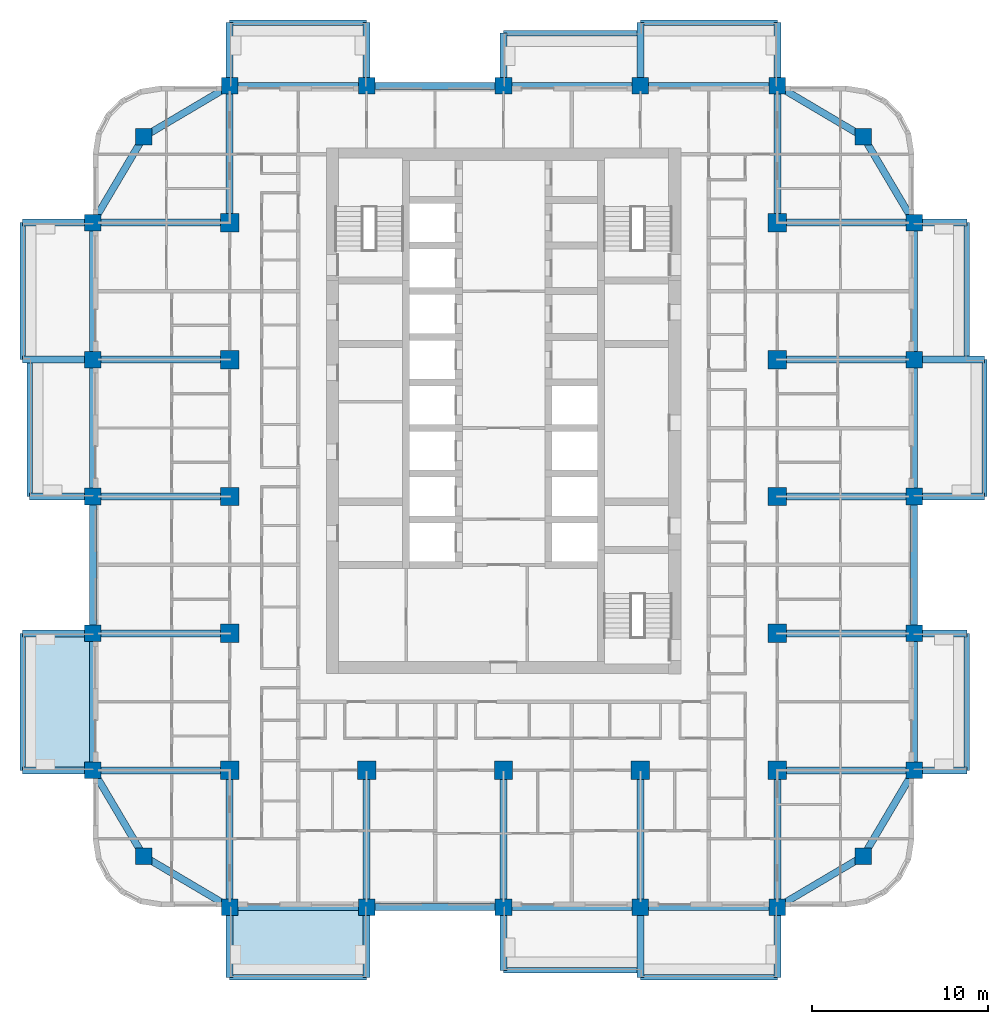
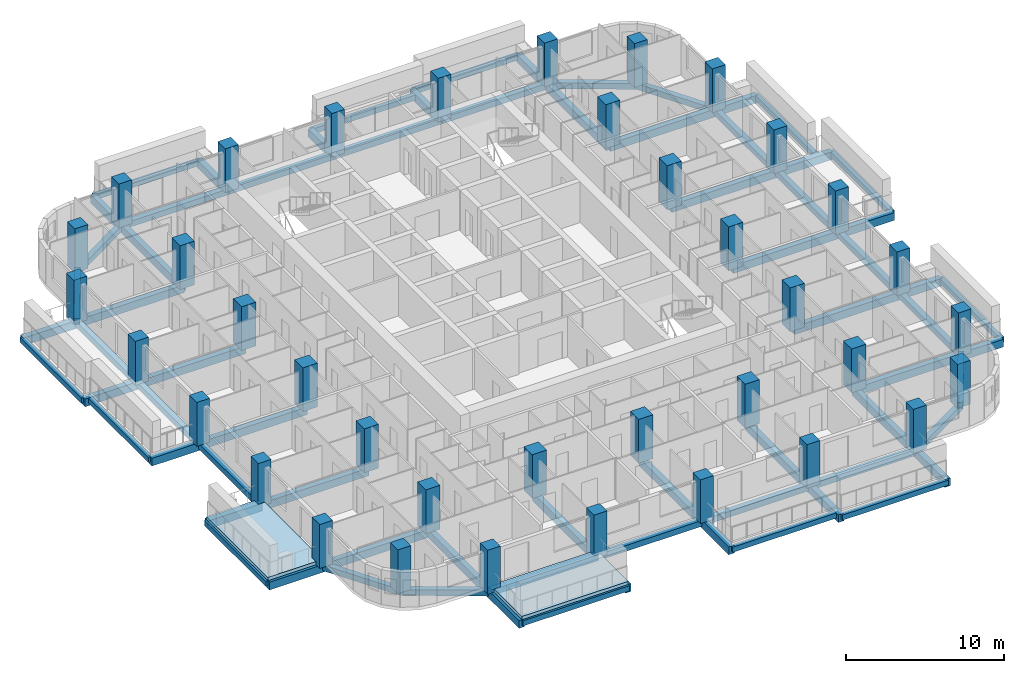
# One storey, part 1 of 18: 73 beams, 37 columns, 2 slabs.
"""IFC4 building model written with IfcOpenShell, lengths in metres."""

from ifc_helpers import new_model, si_unit, direction, frame, origin, origin_2d, place, context, subcontext, project, spatial, polyline, rectangle, outline, extrude, material, layer, layer_set, material_profile, profile_set, type_object, element, save


model = new_model("IFC4")

# Units and contexts
model_context = context("Model", 3, precision=1e-05, world=origin(), true_north=direction((0.0, 1.0)))
body_context = subcontext(model_context, "Body", "Model", "MODEL_VIEW")
ifc_project = project(units=[si_unit("LENGTHUNIT", "METRE"), si_unit("AREAUNIT", "SQUARE_METRE"), si_unit("VOLUMEUNIT", "CUBIC_METRE"), si_unit("PLANEANGLEUNIT", "RADIAN"), si_unit("MASSUNIT", "GRAM", prefix="KILO")], contexts=[model_context])

# Site, building, storey
site_placement = place(None, origin())
site = spatial("IfcSite", under=ifc_project, at=site_placement, CompositionType="ELEMENT")
building_placement = place(site_placement, origin())
building = spatial("IfcBuilding", under=site, at=building_placement, Name="Ludao Terraces", CompositionType="ELEMENT")
storey_placement = place(building_placement, frame((0.0, 0.0, 75.0)))
storey = spatial("IfcBuildingStorey", under=building, at=storey_placement, Name="L20", CompositionType="ELEMENT", Elevation=75.0)

# Columns
ifc_material_1 = material(Name="Concrete C55", Category="concrete")
ifc_material_profile_1 = material_profile(ifc_material_1, rectangle(XDim=1.050048828125, YDim=1.050048828125, at=origin_2d()), Name="1050 X 1050")
ifc_profile_set_1 = profile_set([ifc_material_profile_1], Name="Concrete C55")
column_type_1 = type_object("IfcColumnType", Name="RC column 1050x1050 C55", PredefinedType="COLUMN", material=ifc_profile_set_1)
for number, where, z_axis, x_axis, name in (
    (1, (69.39990234375, 49.39990234375, -0.25), (0.0, 0.0, 1.0), (1.0, 0.0, 0.0), "Column L20 S0078x0078"),
    (2, (69.39990234375, 57.199951171875, -0.25), (0.0, 0.0, 1.0), (1.0, 0.0, 0.0), "Column L20 S0078x0156"),
    (3, (69.39990234375, 65.0, -0.25), (0.0, 0.0, 1.0), (1.0, 0.0, 0.0), "Column L20 S0078x0234"),
    (4, (69.39990234375, 72.800048828125, -0.25), (0.0, 0.0, 1.0), (1.0, 0.0, 0.0), "Column L20 S0078x0312"),
    (5, (69.39990234375, 80.60009765625, -0.25), (0.0, 0.0, 1.0), (1.0, 0.0, 0.0), "Column L20 S0078x0390"),
    (6, (77.199951171875, 49.39990234375, -0.25), (0.0, 0.0, 1.0), (1.0, 0.0, 0.0), "Column L20 S0156x0078"),
    (7, (85.0, 49.39990234375, -0.25), (0.0, 0.0, 1.0), (1.0, 0.0, 0.0), "Column L20 S0234x0078"),
    (8, (92.800048828125, 49.39990234375, -0.25), (0.0, 0.0, 1.0), (1.0, 0.0, 0.0), "Column L20 S0312x0078"),
    (9, (100.60009765625, 49.39990234375, -0.25), (0.0, 0.0, 1.0), (1.0, 0.0, 0.0), "Column L20 S0390x0078"),
    (10, (100.60009765625, 57.199951171875, -0.25), (0.0, 0.0, 1.0), (1.0, 0.0, 0.0), "Column L20 S0390x0156"),
    (11, (100.60009765625, 65.0, -0.25), (0.0, 0.0, 1.0), (1.0, 0.0, 0.0), "Column L20 S0390x0234"),
    (12, (100.60009765625, 72.800048828125, -0.25), (0.0, 0.0, 1.0), (1.0, 0.0, 0.0), "Column L20 S0390x0312"),
    (13, (100.60009765625, 80.60009765625, -0.25), (0.0, 0.0, 1.0), (1.0, 0.0, 0.0), "Column L20 S0390x0390"),
):
    element("IfcColumn", number, at=place(storey_placement, frame(where, z_axis=z_axis, x_axis=x_axis)), inside=storey, type_object=column_type_1, Name=name, PredefinedType="COLUMN", context=body_context, shape_type="SweptSolid", body=[
        extrude(rectangle(XDim=1.050048828125, YDim=1.050048828125, at=origin_2d()), origin(), (0.0, 0.0, 1.0), 3.39990234375),
    ])
ifc_material_profile_2 = material_profile(ifc_material_1, rectangle(XDim=0.949951171875, YDim=0.949951171875, at=origin_2d()), Name="950 X 950")
ifc_profile_set_2 = profile_set([ifc_material_profile_2], Name="Concrete C55")
column_type_2 = type_object("IfcColumnType", Name="RC column 950x950 C55", PredefinedType="COLUMN", material=ifc_profile_set_2)
for number, where, z_axis, x_axis, name in (
    (14, (64.5, 44.5, -0.25), (0.0, 0.0, 1.0), (1.0, 0.0, 0.0), "Column L20 C0029x0029"),
    (15, (105.5, 44.5, -0.25), (0.0, 0.0, 1.0), (1.0, 0.0, 0.0), "Column L20 C0439x0029"),
    (16, (64.5, 85.5, -0.25), (0.0, 0.0, 1.0), (1.0, 0.0, 0.0), "Column L20 C0029x0439"),
    (17, (105.5, 85.5, -0.25), (0.0, 0.0, 1.0), (1.0, 0.0, 0.0), "Column L20 C0439x0439"),
    (18, (61.60009765625, 49.39990234375, -0.25), (0.0, 0.0, 1.0), (1.0, 0.0, 0.0), "Column L20 F0000x0078"),
    (19, (108.39990234375, 49.39990234375, -0.25), (0.0, 0.0, 1.0), (1.0, 0.0, 0.0), "Column L20 F0468x0078"),
    (20, (69.39990234375, 41.60009765625, -0.25), (0.0, 0.0, 1.0), (1.0, 0.0, 0.0), "Column L20 F0078x0000"),
    (21, (69.39990234375, 88.39990234375, -0.25), (0.0, 0.0, 1.0), (1.0, 0.0, 0.0), "Column L20 F0078x0468"),
    (22, (61.60009765625, 57.199951171875, -0.25), (0.0, 0.0, 1.0), (1.0, 0.0, 0.0), "Column L20 F0000x0156"),
    (23, (108.39990234375, 57.199951171875, -0.25), (0.0, 0.0, 1.0), (1.0, 0.0, 0.0), "Column L20 F0468x0156"),
    (24, (77.199951171875, 41.60009765625, -0.25), (0.0, 0.0, 1.0), (1.0, 0.0, 0.0), "Column L20 F0156x0000"),
    (25, (77.199951171875, 88.39990234375, -0.25), (0.0, 0.0, 1.0), (1.0, 0.0, 0.0), "Column L20 F0156x0468"),
    (26, (61.60009765625, 65.0, -0.25), (0.0, 0.0, 1.0), (1.0, 0.0, 0.0), "Column L20 F0000x0234"),
    (27, (108.39990234375, 65.0, -0.25), (0.0, 0.0, 1.0), (1.0, 0.0, 0.0), "Column L20 F0468x0234"),
    (28, (85.0, 41.60009765625, -0.25), (0.0, 0.0, 1.0), (1.0, 0.0, 0.0), "Column L20 F0234x0000"),
    (29, (85.0, 88.39990234375, -0.25), (0.0, 0.0, 1.0), (1.0, 0.0, 0.0), "Column L20 F0234x0468"),
    (30, (61.60009765625, 72.800048828125, -0.25), (0.0, 0.0, 1.0), (1.0, 0.0, 0.0), "Column L20 F0000x0312"),
    (31, (108.39990234375, 72.800048828125, -0.25), (0.0, 0.0, 1.0), (1.0, 0.0, 0.0), "Column L20 F0468x0312"),
    (32, (92.800048828125, 41.60009765625, -0.25), (0.0, 0.0, 1.0), (1.0, 0.0, 0.0), "Column L20 F0312x0000"),
    (33, (92.800048828125, 88.39990234375, -0.25), (0.0, 0.0, 1.0), (1.0, 0.0, 0.0), "Column L20 F0312x0468"),
    (34, (61.60009765625, 80.60009765625, -0.25), (0.0, 0.0, 1.0), (1.0, 0.0, 0.0), "Column L20 F0000x0390"),
    (35, (108.39990234375, 80.60009765625, -0.25), (0.0, 0.0, 1.0), (1.0, 0.0, 0.0), "Column L20 F0468x0390"),
    (36, (100.60009765625, 41.60009765625, -0.25), (0.0, 0.0, 1.0), (1.0, 0.0, 0.0), "Column L20 F0390x0000"),
    (37, (100.60009765625, 88.39990234375, -0.25), (0.0, 0.0, 1.0), (1.0, 0.0, 0.0), "Column L20 F0390x0468"),
):
    element("IfcColumn", number, at=place(storey_placement, frame(where, z_axis=z_axis, x_axis=x_axis)), inside=storey, type_object=column_type_2, Name=name, PredefinedType="COLUMN", context=body_context, shape_type="SweptSolid", body=[
        extrude(rectangle(XDim=0.949951171875, YDim=0.949951171875, at=origin_2d()), origin(), (0.0, 0.0, 1.0), 3.39990234375),
    ])

# Beams
ifc_material_2 = material(Name="Concrete C40", Category="concrete")
ifc_material_profile_3 = material_profile(ifc_material_2, rectangle(XDim=0.300048828125, YDim=0.39990234375, at=origin_2d()), Name="300 X 400")
ifc_profile_set_3 = profile_set([ifc_material_profile_3], Name="Concrete C40")
beam_type_1 = type_object("IfcBeamType", Name="RC beam 300x400 C40", PredefinedType="BEAM", material=ifc_profile_set_3)
for number, where, z_axis, x_axis, name in (
    (38, (69.39990234375, 37.60009765625, -0.449951171875), (1.0, 0.0, 0.0), (0.0, 1.0, 0.0), "Balcony edge beam L20 S1"),
    (39, (85.0, 38.0, -0.449951171875), (1.0, 0.0, 0.0), (0.0, 1.0, 0.0), "Balcony edge beam L20 S3"),
    (40, (92.800048828125, 37.60009765625, -0.449951171875), (1.0, 0.0, 0.0), (0.0, 1.0, 0.0), "Balcony edge beam L20 S4"),
    (41, (111.39990234375, 49.39990234375, -0.449951171875), (0.0, 1.0, 0.0), (-1.0, 0.0, 0.0), "Balcony edge beam L20 E1"),
    (42, (112.39990234375, 65.0, -0.449951171875), (0.0, 1.0, 0.0), (-1.0, 0.0, 0.0), "Balcony edge beam L20 E3"),
    (43, (111.39990234375, 72.800048828125, -0.449951171875), (0.0, 1.0, 0.0), (-1.0, 0.0, 0.0), "Balcony edge beam L20 E4"),
    (44, (69.39990234375, 92.0, -0.449951171875), (1.0, 0.0, 0.0), (0.0, 1.0, 0.0), "Balcony edge beam L20 N1"),
    (45, (85.0, 91.39990234375, -0.449951171875), (1.0, 0.0, 0.0), (0.0, 1.0, 0.0), "Balcony edge beam L20 N3"),
    (46, (92.800048828125, 92.0, -0.449951171875), (1.0, 0.0, 0.0), (0.0, 1.0, 0.0), "Balcony edge beam L20 N4"),
    (47, (57.60009765625, 49.39990234375, -0.449951171875), (0.0, 1.0, 0.0), (-1.0, 0.0, 0.0), "Balcony edge beam L20 W1"),
    (48, (58.0, 65.0, -0.449951171875), (0.0, 1.0, 0.0), (-1.0, 0.0, 0.0), "Balcony edge beam L20 W3"),
    (49, (57.60009765625, 72.800048828125, -0.449951171875), (0.0, 1.0, 0.0), (-1.0, 0.0, 0.0), "Balcony edge beam L20 W4"),
):
    element("IfcBeam", number, at=place(storey_placement, frame(where, z_axis=z_axis, x_axis=x_axis)), inside=storey, type_object=beam_type_1, Name=name, PredefinedType="BEAM", context=body_context, shape_type="SweptSolid", body=[
        extrude(rectangle(XDim=0.300048828125, YDim=0.39990234375, at=origin_2d()), origin(), (0.0, 0.0, 1.0), 7.800048828125),
    ])
ifc_material_profile_4 = material_profile(ifc_material_2, rectangle(XDim=0.39990234375, YDim=0.449951171875, at=origin_2d()), Name="400 X 450")
ifc_profile_set_4 = profile_set([ifc_material_profile_4], Name="Concrete C40")
beam_type_2 = type_object("IfcBeamType", Name="RC beam 400x450 C40", PredefinedType="BEAM", material=ifc_profile_set_4)
beam_1_placement = place(storey_placement, frame((64.5, 44.5, -0.47509765625), z_axis=(0.860579751256, -0.509315709288, 0.0), x_axis=(0.509315709288, 0.860579751256, 0.0)))
element("IfcBeam", 50, at=beam_1_placement, inside=storey, type_object=beam_type_2, Name="Spandrel beam L20 S1", PredefinedType="BEAM", context=body_context, shape_type="SweptSolid", body=[
    extrude(rectangle(XDim=0.39990234375, YDim=0.449951171875, at=origin_2d()), origin(), (0.0, 0.0, 1.0), 5.693603515625),
])
for number, where, z_axis, x_axis, name in (
    (51, (69.39990234375, 41.60009765625, -0.47509765625), (1.0, 0.0, 0.0), (0.0, 1.0, 0.0), "Spandrel beam L20 S2"),
    (52, (77.199951171875, 41.60009765625, -0.47509765625), (1.0, 0.0, 0.0), (0.0, 1.0, 0.0), "Spandrel beam L20 S3"),
    (53, (85.0, 41.60009765625, -0.47509765625), (1.0, 0.0, 0.0), (0.0, 1.0, 0.0), "Spandrel beam L20 S4"),
    (54, (92.800048828125, 41.60009765625, -0.47509765625), (1.0, 0.0, 0.0), (0.0, 1.0, 0.0), "Spandrel beam L20 S5"),
):
    element("IfcBeam", number, at=place(storey_placement, frame(where, z_axis=z_axis, x_axis=x_axis)), inside=storey, type_object=beam_type_2, Name=name, PredefinedType="BEAM", context=body_context, shape_type="SweptSolid", body=[
        extrude(rectangle(XDim=0.39990234375, YDim=0.449951171875, at=origin_2d()), origin(), (0.0, 0.0, 1.0), 7.800048828125),
    ])
for number, where, z_axis, x_axis, name in (
    (55, (100.60009765625, 41.60009765625, -0.47509765625), (0.860579751256, 0.509315709288, 0.0), (-0.509315709288, 0.860579751256, 0.0), "Spandrel beam L20 S6"),
    (56, (64.5, 85.5, -0.47509765625), (0.860579751256, 0.509315709288, 0.0), (-0.509315709288, 0.860579751256, 0.0), "Spandrel beam L20 N7"),
):
    element("IfcBeam", number, at=place(storey_placement, frame(where, z_axis=z_axis, x_axis=x_axis)), inside=storey, type_object=beam_type_2, Name=name, PredefinedType="BEAM", context=body_context, shape_type="SweptSolid", body=[
        extrude(rectangle(XDim=0.39990234375, YDim=0.449951171875, at=origin_2d()), origin(), (0.0, 0.0, 1.0), 5.693603515625),
    ])
for number, where, z_axis, x_axis, name in (
    (57, (69.39990234375, 88.39990234375, -0.47509765625), (1.0, 0.0, 0.0), (0.0, 1.0, 0.0), "Spandrel beam L20 N8"),
    (58, (77.199951171875, 88.39990234375, -0.47509765625), (1.0, 0.0, 0.0), (0.0, 1.0, 0.0), "Spandrel beam L20 N9"),
    (59, (85.0, 88.39990234375, -0.47509765625), (1.0, 0.0, 0.0), (0.0, 1.0, 0.0), "Spandrel beam L20 N10"),
    (60, (92.800048828125, 88.39990234375, -0.47509765625), (1.0, 0.0, 0.0), (0.0, 1.0, 0.0), "Spandrel beam L20 N11"),
):
    element("IfcBeam", number, at=place(storey_placement, frame(where, z_axis=z_axis, x_axis=x_axis)), inside=storey, type_object=beam_type_2, Name=name, PredefinedType="BEAM", context=body_context, shape_type="SweptSolid", body=[
        extrude(rectangle(XDim=0.39990234375, YDim=0.449951171875, at=origin_2d()), origin(), (0.0, 0.0, 1.0), 7.800048828125),
    ])
for number, where, z_axis, x_axis, name in (
    (61, (100.60009765625, 88.39990234375, -0.47509765625), (0.860579751256, -0.509315709288, 0.0), (0.509315709288, 0.860579751256, 0.0), "Spandrel beam L20 N12"),
    (62, (64.5, 44.5, -0.47509765625), (-0.509315709288, 0.860579751256, 0.0), (-0.860579751256, -0.509315709288, 0.0), "Spandrel beam L20 W13"),
):
    element("IfcBeam", number, at=place(storey_placement, frame(where, z_axis=z_axis, x_axis=x_axis)), inside=storey, type_object=beam_type_2, Name=name, PredefinedType="BEAM", context=body_context, shape_type="SweptSolid", body=[
        extrude(rectangle(XDim=0.39990234375, YDim=0.449951171875, at=origin_2d()), origin(), (0.0, 0.0, 1.0), 5.693603515625),
    ])
for number, where, z_axis, x_axis, name in (
    (63, (61.60009765625, 49.39990234375, -0.47509765625), (0.0, 1.0, 0.0), (-1.0, 0.0, 0.0), "Spandrel beam L20 W14"),
    (64, (61.60009765625, 57.199951171875, -0.47509765625), (0.0, 1.0, 0.0), (-1.0, 0.0, 0.0), "Spandrel beam L20 W15"),
    (65, (61.60009765625, 65.0, -0.47509765625), (0.0, 1.0, 0.0), (-1.0, 0.0, 0.0), "Spandrel beam L20 W16"),
    (66, (61.60009765625, 72.800048828125, -0.47509765625), (0.0, 1.0, 0.0), (-1.0, 0.0, 0.0), "Spandrel beam L20 W17"),
):
    element("IfcBeam", number, at=place(storey_placement, frame(where, z_axis=z_axis, x_axis=x_axis)), inside=storey, type_object=beam_type_2, Name=name, PredefinedType="BEAM", context=body_context, shape_type="SweptSolid", body=[
        extrude(rectangle(XDim=0.39990234375, YDim=0.449951171875, at=origin_2d()), origin(), (0.0, 0.0, 1.0), 7.800048828125),
    ])
for number, where, z_axis, x_axis, name in (
    (67, (61.60009765625, 80.60009765625, -0.47509765625), (0.509315709288, 0.860579751256, 0.0), (-0.860579751256, 0.509315709288, 0.0), "Spandrel beam L20 W18"),
    (68, (105.5, 44.5, -0.47509765625), (0.509315709288, 0.860579751256, 0.0), (-0.860579751256, 0.509315709288, 0.0), "Spandrel beam L20 E19"),
):
    element("IfcBeam", number, at=place(storey_placement, frame(where, z_axis=z_axis, x_axis=x_axis)), inside=storey, type_object=beam_type_2, Name=name, PredefinedType="BEAM", context=body_context, shape_type="SweptSolid", body=[
        extrude(rectangle(XDim=0.39990234375, YDim=0.449951171875, at=origin_2d()), origin(), (0.0, 0.0, 1.0), 5.693603515625),
    ])
for number, where, z_axis, x_axis, name in (
    (69, (108.39990234375, 49.39990234375, -0.47509765625), (0.0, 1.0, 0.0), (-1.0, 0.0, 0.0), "Spandrel beam L20 E20"),
    (70, (108.39990234375, 57.199951171875, -0.47509765625), (0.0, 1.0, 0.0), (-1.0, 0.0, 0.0), "Spandrel beam L20 E21"),
    (71, (108.39990234375, 65.0, -0.47509765625), (0.0, 1.0, 0.0), (-1.0, 0.0, 0.0), "Spandrel beam L20 E22"),
    (72, (108.39990234375, 72.800048828125, -0.47509765625), (0.0, 1.0, 0.0), (-1.0, 0.0, 0.0), "Spandrel beam L20 E23"),
):
    element("IfcBeam", number, at=place(storey_placement, frame(where, z_axis=z_axis, x_axis=x_axis)), inside=storey, type_object=beam_type_2, Name=name, PredefinedType="BEAM", context=body_context, shape_type="SweptSolid", body=[
        extrude(rectangle(XDim=0.39990234375, YDim=0.449951171875, at=origin_2d()), origin(), (0.0, 0.0, 1.0), 7.800048828125),
    ])
beam_2_placement = place(storey_placement, frame((108.39990234375, 80.60009765625, -0.47509765625), z_axis=(-0.509315709288, 0.860579751256, 0.0), x_axis=(-0.860579751256, -0.509315709288, 0.0)))
element("IfcBeam", 73, at=beam_2_placement, inside=storey, type_object=beam_type_2, Name="Spandrel beam L20 E24", PredefinedType="BEAM", context=body_context, shape_type="SweptSolid", body=[
    extrude(rectangle(XDim=0.39990234375, YDim=0.449951171875, at=origin_2d()), origin(), (0.0, 0.0, 1.0), 5.693603515625),
])
ifc_material_profile_5 = material_profile(ifc_material_2, rectangle(XDim=0.39990234375, YDim=0.60009765625, at=origin_2d()), Name="400 X 600")
ifc_profile_set_5 = profile_set([ifc_material_profile_5], Name="Concrete C40")
beam_type_3 = type_object("IfcBeamType", Name="RC beam 400x600 C40", PredefinedType="BEAM", material=ifc_profile_set_5)
beam_3_placement = place(storey_placement, frame((100.60009765625, 49.39990234375, -0.550048828125), z_axis=(1.0, 0.0, 0.0), x_axis=(0.0, 1.0, 0.0)))
element("IfcBeam", 74, at=beam_3_placement, inside=storey, type_object=beam_type_3, Name="Balcony beam L20 E494", PredefinedType="BEAM", context=body_context, shape_type="SweptSolid", body=[
    extrude(rectangle(XDim=0.39990234375, YDim=0.60009765625, at=origin_2d()), origin(), (0.0, 0.0, 1.0), 7.7998046875),
])
beam_4_placement = place(storey_placement, frame((108.39990234375, 49.39990234375, -0.550048828125), z_axis=(1.0, 0.0, 0.0), x_axis=(0.0, 1.0, 0.0)))
element("IfcBeam", 75, at=beam_4_placement, inside=storey, type_object=beam_type_3, Name="Balcony beam L20 E494", PredefinedType="BEAM", context=body_context, shape_type="SweptSolid", body=[
    extrude(rectangle(XDim=0.39990234375, YDim=0.60009765625, at=origin_2d()), origin(), (0.0, 0.0, 1.0), 3.0),
])
beam_5_placement = place(storey_placement, frame((100.60009765625, 57.199951171875, -0.550048828125), z_axis=(1.0, 0.0, 0.0), x_axis=(0.0, 1.0, 0.0)))
element("IfcBeam", 76, at=beam_5_placement, inside=storey, type_object=beam_type_3, Name="Balcony beam L20 E572", PredefinedType="BEAM", context=body_context, shape_type="SweptSolid", body=[
    extrude(rectangle(XDim=0.39990234375, YDim=0.60009765625, at=origin_2d()), origin(), (0.0, 0.0, 1.0), 7.7998046875),
])
beam_6_placement = place(storey_placement, frame((108.39990234375, 57.199951171875, -0.550048828125), z_axis=(1.0, 0.0, 0.0), x_axis=(0.0, 1.0, 0.0)))
element("IfcBeam", 77, at=beam_6_placement, inside=storey, type_object=beam_type_3, Name="Balcony beam L20 E572", PredefinedType="BEAM", context=body_context, shape_type="SweptSolid", body=[
    extrude(rectangle(XDim=0.39990234375, YDim=0.60009765625, at=origin_2d()), origin(), (0.0, 0.0, 1.0), 3.0),
])
beam_7_placement = place(storey_placement, frame((100.60009765625, 65.0, -0.550048828125), z_axis=(1.0, 0.0, 0.0), x_axis=(0.0, 1.0, 0.0)))
element("IfcBeam", 78, at=beam_7_placement, inside=storey, type_object=beam_type_3, Name="Balcony beam L20 E650", PredefinedType="BEAM", context=body_context, shape_type="SweptSolid", body=[
    extrude(rectangle(XDim=0.39990234375, YDim=0.60009765625, at=origin_2d()), origin(), (0.0, 0.0, 1.0), 7.7998046875),
])
beam_8_placement = place(storey_placement, frame((108.39990234375, 65.0, -0.550048828125), z_axis=(1.0, 0.0, 0.0), x_axis=(0.0, 1.0, 0.0)))
element("IfcBeam", 79, at=beam_8_placement, inside=storey, type_object=beam_type_3, Name="Balcony beam L20 E650", PredefinedType="BEAM", context=body_context, shape_type="SweptSolid", body=[
    extrude(rectangle(XDim=0.39990234375, YDim=0.60009765625, at=origin_2d()), origin(), (0.0, 0.0, 1.0), 4.0),
])
beam_9_placement = place(storey_placement, frame((100.60009765625, 72.800048828125, -0.550048828125), z_axis=(1.0, 0.0, 0.0), x_axis=(0.0, 1.0, 0.0)))
element("IfcBeam", 80, at=beam_9_placement, inside=storey, type_object=beam_type_3, Name="Balcony beam L20 E728", PredefinedType="BEAM", context=body_context, shape_type="SweptSolid", body=[
    extrude(rectangle(XDim=0.39990234375, YDim=0.60009765625, at=origin_2d()), origin(), (0.0, 0.0, 1.0), 7.7998046875),
])
beam_10_placement = place(storey_placement, frame((108.39990234375, 72.800048828125, -0.550048828125), z_axis=(1.0, 0.0, 0.0), x_axis=(0.0, 1.0, 0.0)))
element("IfcBeam", 81, at=beam_10_placement, inside=storey, type_object=beam_type_3, Name="Balcony beam L20 E728", PredefinedType="BEAM", context=body_context, shape_type="SweptSolid", body=[
    extrude(rectangle(XDim=0.39990234375, YDim=0.60009765625, at=origin_2d()), origin(), (0.0, 0.0, 1.0), 4.0),
])
beam_11_placement = place(storey_placement, frame((100.60009765625, 80.60009765625, -0.550048828125), z_axis=(1.0, 0.0, 0.0), x_axis=(0.0, 1.0, 0.0)))
element("IfcBeam", 82, at=beam_11_placement, inside=storey, type_object=beam_type_3, Name="Balcony beam L20 E806", PredefinedType="BEAM", context=body_context, shape_type="SweptSolid", body=[
    extrude(rectangle(XDim=0.39990234375, YDim=0.60009765625, at=origin_2d()), origin(), (0.0, 0.0, 1.0), 7.7998046875),
])
beam_12_placement = place(storey_placement, frame((108.39990234375, 80.60009765625, -0.550048828125), z_axis=(1.0, 0.0, 0.0), x_axis=(0.0, 1.0, 0.0)))
element("IfcBeam", 83, at=beam_12_placement, inside=storey, type_object=beam_type_3, Name="Balcony beam L20 E806", PredefinedType="BEAM", context=body_context, shape_type="SweptSolid", body=[
    extrude(rectangle(XDim=0.39990234375, YDim=0.60009765625, at=origin_2d()), origin(), (0.0, 0.0, 1.0), 3.0),
])
beam_13_placement = place(storey_placement, frame((100.60009765625, 80.60009765625, -0.550048828125), z_axis=(0.0, 1.0, 0.0), x_axis=(-1.0, 0.0, 0.0)))
element("IfcBeam", 84, at=beam_13_placement, inside=storey, type_object=beam_type_3, Name="Balcony beam L20 N1006", PredefinedType="BEAM", context=body_context, shape_type="SweptSolid", body=[
    extrude(rectangle(XDim=0.39990234375, YDim=0.60009765625, at=origin_2d()), origin(), (0.0, 0.0, 1.0), 7.7998046875),
])
beam_14_placement = place(storey_placement, frame((100.60009765625, 88.39990234375, -0.550048828125), z_axis=(0.0, 1.0, 0.0), x_axis=(-1.0, 0.0, 0.0)))
element("IfcBeam", 85, at=beam_14_placement, inside=storey, type_object=beam_type_3, Name="Balcony beam L20 N1006", PredefinedType="BEAM", context=body_context, shape_type="SweptSolid", body=[
    extrude(rectangle(XDim=0.39990234375, YDim=0.60009765625, at=origin_2d()), origin(), (0.0, 0.0, 1.0), 3.60009765625),
])
beam_15_placement = place(storey_placement, frame((69.39990234375, 80.60009765625, -0.550048828125), z_axis=(0.0, 1.0, 0.0), x_axis=(-1.0, 0.0, 0.0)))
element("IfcBeam", 86, at=beam_15_placement, inside=storey, type_object=beam_type_3, Name="Balcony beam L20 N694", PredefinedType="BEAM", context=body_context, shape_type="SweptSolid", body=[
    extrude(rectangle(XDim=0.39990234375, YDim=0.60009765625, at=origin_2d()), origin(), (0.0, 0.0, 1.0), 7.7998046875),
])
for number, where, z_axis, x_axis, name in (
    (87, (69.39990234375, 88.39990234375, -0.550048828125), (0.0, 1.0, 0.0), (-1.0, 0.0, 0.0), "Balcony beam L20 N694"),
    (88, (77.199951171875, 88.39990234375, -0.550048828125), (0.0, 1.0, 0.0), (-1.0, 0.0, 0.0), "Balcony beam L20 N772"),
):
    element("IfcBeam", number, at=place(storey_placement, frame(where, z_axis=z_axis, x_axis=x_axis)), inside=storey, type_object=beam_type_3, Name=name, PredefinedType="BEAM", context=body_context, shape_type="SweptSolid", body=[
        extrude(rectangle(XDim=0.39990234375, YDim=0.60009765625, at=origin_2d()), origin(), (0.0, 0.0, 1.0), 3.60009765625),
    ])
beam_16_placement = place(storey_placement, frame((85.0, 88.39990234375, -0.550048828125), z_axis=(0.0, 1.0, 0.0), x_axis=(-1.0, 0.0, 0.0)))
element("IfcBeam", 89, at=beam_16_placement, inside=storey, type_object=beam_type_3, Name="Balcony beam L20 N850", PredefinedType="BEAM", context=body_context, shape_type="SweptSolid", body=[
    extrude(rectangle(XDim=0.39990234375, YDim=0.60009765625, at=origin_2d()), origin(), (0.0, 0.0, 1.0), 3.0),
])
beam_17_placement = place(storey_placement, frame((92.800048828125, 88.39990234375, -0.550048828125), z_axis=(0.0, 1.0, 0.0), x_axis=(-1.0, 0.0, 0.0)))
element("IfcBeam", 90, at=beam_17_placement, inside=storey, type_object=beam_type_3, Name="Balcony beam L20 N928", PredefinedType="BEAM", context=body_context, shape_type="SweptSolid", body=[
    extrude(rectangle(XDim=0.39990234375, YDim=0.60009765625, at=origin_2d()), origin(), (0.0, 0.0, 1.0), 3.60009765625),
])
beam_18_placement = place(storey_placement, frame((100.60009765625, 49.39990234375, -0.550048828125), z_axis=(0.0, -1.0, 0.0), x_axis=(1.0, 0.0, 0.0)))
element("IfcBeam", 91, at=beam_18_placement, inside=storey, type_object=beam_type_3, Name="Balcony beam L20 S1006", PredefinedType="BEAM", context=body_context, shape_type="SweptSolid", body=[
    extrude(rectangle(XDim=0.39990234375, YDim=0.60009765625, at=origin_2d()), origin(), (0.0, 0.0, 1.0), 7.7998046875),
])
beam_19_placement = place(storey_placement, frame((100.60009765625, 41.60009765625, -0.550048828125), z_axis=(0.0, -1.0, 0.0), x_axis=(1.0, 0.0, 0.0)))
element("IfcBeam", 92, at=beam_19_placement, inside=storey, type_object=beam_type_3, Name="Balcony beam L20 S1006", PredefinedType="BEAM", context=body_context, shape_type="SweptSolid", body=[
    extrude(rectangle(XDim=0.39990234375, YDim=0.60009765625, at=origin_2d()), origin(), (0.0, 0.0, 1.0), 4.0),
])
beam_20_placement = place(storey_placement, frame((69.39990234375, 49.39990234375, -0.550048828125), z_axis=(0.0, -1.0, 0.0), x_axis=(1.0, 0.0, 0.0)))
element("IfcBeam", 93, at=beam_20_placement, inside=storey, type_object=beam_type_3, Name="Balcony beam L20 S694", PredefinedType="BEAM", context=body_context, shape_type="SweptSolid", body=[
    extrude(rectangle(XDim=0.39990234375, YDim=0.60009765625, at=origin_2d()), origin(), (0.0, 0.0, 1.0), 7.7998046875),
])
beam_21_placement = place(storey_placement, frame((69.39990234375, 41.60009765625, -0.550048828125), z_axis=(0.0, -1.0, 0.0), x_axis=(1.0, 0.0, 0.0)))
element("IfcBeam", 94, at=beam_21_placement, inside=storey, type_object=beam_type_3, Name="Balcony beam L20 S694", PredefinedType="BEAM", context=body_context, shape_type="SweptSolid", body=[
    extrude(rectangle(XDim=0.39990234375, YDim=0.60009765625, at=origin_2d()), origin(), (0.0, 0.0, 1.0), 4.0),
])
beam_22_placement = place(storey_placement, frame((77.199951171875, 49.39990234375, -0.550048828125), z_axis=(0.0, -1.0, 0.0), x_axis=(1.0, 0.0, 0.0)))
element("IfcBeam", 95, at=beam_22_placement, inside=storey, type_object=beam_type_3, Name="Balcony beam L20 S772", PredefinedType="BEAM", context=body_context, shape_type="SweptSolid", body=[
    extrude(rectangle(XDim=0.39990234375, YDim=0.60009765625, at=origin_2d()), origin(), (0.0, 0.0, 1.0), 7.7998046875),
])
beam_23_placement = place(storey_placement, frame((77.199951171875, 41.60009765625, -0.550048828125), z_axis=(0.0, -1.0, 0.0), x_axis=(1.0, 0.0, 0.0)))
element("IfcBeam", 96, at=beam_23_placement, inside=storey, type_object=beam_type_3, Name="Balcony beam L20 S772", PredefinedType="BEAM", context=body_context, shape_type="SweptSolid", body=[
    extrude(rectangle(XDim=0.39990234375, YDim=0.60009765625, at=origin_2d()), origin(), (0.0, 0.0, 1.0), 4.0),
])
beam_24_placement = place(storey_placement, frame((85.0, 49.39990234375, -0.550048828125), z_axis=(0.0, -1.0, 0.0), x_axis=(1.0, 0.0, 0.0)))
element("IfcBeam", 97, at=beam_24_placement, inside=storey, type_object=beam_type_3, Name="Balcony beam L20 S850", PredefinedType="BEAM", context=body_context, shape_type="SweptSolid", body=[
    extrude(rectangle(XDim=0.39990234375, YDim=0.60009765625, at=origin_2d()), origin(), (0.0, 0.0, 1.0), 7.7998046875),
])
beam_25_placement = place(storey_placement, frame((85.0, 41.60009765625, -0.550048828125), z_axis=(0.0, -1.0, 0.0), x_axis=(1.0, 0.0, 0.0)))
element("IfcBeam", 98, at=beam_25_placement, inside=storey, type_object=beam_type_3, Name="Balcony beam L20 S850", PredefinedType="BEAM", context=body_context, shape_type="SweptSolid", body=[
    extrude(rectangle(XDim=0.39990234375, YDim=0.60009765625, at=origin_2d()), origin(), (0.0, 0.0, 1.0), 3.60009765625),
])
beam_26_placement = place(storey_placement, frame((92.800048828125, 49.39990234375, -0.550048828125), z_axis=(0.0, -1.0, 0.0), x_axis=(1.0, 0.0, 0.0)))
element("IfcBeam", 99, at=beam_26_placement, inside=storey, type_object=beam_type_3, Name="Balcony beam L20 S928", PredefinedType="BEAM", context=body_context, shape_type="SweptSolid", body=[
    extrude(rectangle(XDim=0.39990234375, YDim=0.60009765625, at=origin_2d()), origin(), (0.0, 0.0, 1.0), 7.7998046875),
])
beam_27_placement = place(storey_placement, frame((92.800048828125, 41.60009765625, -0.550048828125), z_axis=(0.0, -1.0, 0.0), x_axis=(1.0, 0.0, 0.0)))
element("IfcBeam", 100, at=beam_27_placement, inside=storey, type_object=beam_type_3, Name="Balcony beam L20 S928", PredefinedType="BEAM", context=body_context, shape_type="SweptSolid", body=[
    extrude(rectangle(XDim=0.39990234375, YDim=0.60009765625, at=origin_2d()), origin(), (0.0, 0.0, 1.0), 4.0),
])
beam_28_placement = place(storey_placement, frame((69.39990234375, 49.39990234375, -0.550048828125), z_axis=(-1.0, 0.0, 0.0), x_axis=(0.0, -1.0, 0.0)))
element("IfcBeam", 101, at=beam_28_placement, inside=storey, type_object=beam_type_3, Name="Balcony beam L20 W494", PredefinedType="BEAM", context=body_context, shape_type="SweptSolid", body=[
    extrude(rectangle(XDim=0.39990234375, YDim=0.60009765625, at=origin_2d()), origin(), (0.0, 0.0, 1.0), 7.7998046875),
])
beam_29_placement = place(storey_placement, frame((61.60009765625, 49.39990234375, -0.550048828125), z_axis=(-1.0, 0.0, 0.0), x_axis=(0.0, -1.0, 0.0)))
element("IfcBeam", 102, at=beam_29_placement, inside=storey, type_object=beam_type_3, Name="Balcony beam L20 W494", PredefinedType="BEAM", context=body_context, shape_type="SweptSolid", body=[
    extrude(rectangle(XDim=0.39990234375, YDim=0.60009765625, at=origin_2d()), origin(), (0.0, 0.0, 1.0), 4.0),
])
beam_30_placement = place(storey_placement, frame((69.39990234375, 57.199951171875, -0.550048828125), z_axis=(-1.0, 0.0, 0.0), x_axis=(0.0, -1.0, 0.0)))
element("IfcBeam", 103, at=beam_30_placement, inside=storey, type_object=beam_type_3, Name="Balcony beam L20 W572", PredefinedType="BEAM", context=body_context, shape_type="SweptSolid", body=[
    extrude(rectangle(XDim=0.39990234375, YDim=0.60009765625, at=origin_2d()), origin(), (0.0, 0.0, 1.0), 7.7998046875),
])
beam_31_placement = place(storey_placement, frame((61.60009765625, 57.199951171875, -0.550048828125), z_axis=(-1.0, 0.0, 0.0), x_axis=(0.0, -1.0, 0.0)))
element("IfcBeam", 104, at=beam_31_placement, inside=storey, type_object=beam_type_3, Name="Balcony beam L20 W572", PredefinedType="BEAM", context=body_context, shape_type="SweptSolid", body=[
    extrude(rectangle(XDim=0.39990234375, YDim=0.60009765625, at=origin_2d()), origin(), (0.0, 0.0, 1.0), 4.0),
])
beam_32_placement = place(storey_placement, frame((69.39990234375, 65.0, -0.550048828125), z_axis=(-1.0, 0.0, 0.0), x_axis=(0.0, -1.0, 0.0)))
element("IfcBeam", 105, at=beam_32_placement, inside=storey, type_object=beam_type_3, Name="Balcony beam L20 W650", PredefinedType="BEAM", context=body_context, shape_type="SweptSolid", body=[
    extrude(rectangle(XDim=0.39990234375, YDim=0.60009765625, at=origin_2d()), origin(), (0.0, 0.0, 1.0), 7.7998046875),
])
beam_33_placement = place(storey_placement, frame((61.60009765625, 65.0, -0.550048828125), z_axis=(-1.0, 0.0, 0.0), x_axis=(0.0, -1.0, 0.0)))
element("IfcBeam", 106, at=beam_33_placement, inside=storey, type_object=beam_type_3, Name="Balcony beam L20 W650", PredefinedType="BEAM", context=body_context, shape_type="SweptSolid", body=[
    extrude(rectangle(XDim=0.39990234375, YDim=0.60009765625, at=origin_2d()), origin(), (0.0, 0.0, 1.0), 3.60009765625),
])
beam_34_placement = place(storey_placement, frame((69.39990234375, 72.800048828125, -0.550048828125), z_axis=(-1.0, 0.0, 0.0), x_axis=(0.0, -1.0, 0.0)))
element("IfcBeam", 107, at=beam_34_placement, inside=storey, type_object=beam_type_3, Name="Balcony beam L20 W728", PredefinedType="BEAM", context=body_context, shape_type="SweptSolid", body=[
    extrude(rectangle(XDim=0.39990234375, YDim=0.60009765625, at=origin_2d()), origin(), (0.0, 0.0, 1.0), 7.7998046875),
])
beam_35_placement = place(storey_placement, frame((61.60009765625, 72.800048828125, -0.550048828125), z_axis=(-1.0, 0.0, 0.0), x_axis=(0.0, -1.0, 0.0)))
element("IfcBeam", 108, at=beam_35_placement, inside=storey, type_object=beam_type_3, Name="Balcony beam L20 W728", PredefinedType="BEAM", context=body_context, shape_type="SweptSolid", body=[
    extrude(rectangle(XDim=0.39990234375, YDim=0.60009765625, at=origin_2d()), origin(), (0.0, 0.0, 1.0), 4.0),
])
beam_36_placement = place(storey_placement, frame((69.39990234375, 80.60009765625, -0.550048828125), z_axis=(-1.0, 0.0, 0.0), x_axis=(0.0, -1.0, 0.0)))
element("IfcBeam", 109, at=beam_36_placement, inside=storey, type_object=beam_type_3, Name="Balcony beam L20 W806", PredefinedType="BEAM", context=body_context, shape_type="SweptSolid", body=[
    extrude(rectangle(XDim=0.39990234375, YDim=0.60009765625, at=origin_2d()), origin(), (0.0, 0.0, 1.0), 7.7998046875),
])
beam_37_placement = place(storey_placement, frame((61.60009765625, 80.60009765625, -0.550048828125), z_axis=(-1.0, 0.0, 0.0), x_axis=(0.0, -1.0, 0.0)))
element("IfcBeam", 110, at=beam_37_placement, inside=storey, type_object=beam_type_3, Name="Balcony beam L20 W806", PredefinedType="BEAM", context=body_context, shape_type="SweptSolid", body=[
    extrude(rectangle(XDim=0.39990234375, YDim=0.60009765625, at=origin_2d()), origin(), (0.0, 0.0, 1.0), 4.0),
])

# Slabs
ifc_layer = layer(ifc_material_2, 0.25)
ifc_layer_set = layer_set([ifc_layer], Name="Balcony slab 250 C40")
slab_type = type_object("IfcSlabType", Name="Balcony slab 250 C40", PredefinedType="USERDEFINED", material=ifc_layer_set)
slab_1_placement = place(storey_placement, frame((0.0, 0.0, -0.25)))
element("IfcSlab", 111, at=slab_1_placement, inside=storey, type_object=slab_type, Name="Balcony L20 S1", ObjectType="BALCONY", PredefinedType="USERDEFINED", context=body_context, shape_type="SweptSolid", body=[
    extrude(outline(polyline([(69.39990234375, 37.60009765625), (77.199951171875, 37.60009765625), (77.199951171875, 41.60009765625), (69.39990234375, 41.60009765625), (69.39990234375, 37.60009765625)])), origin(), (0.0, 0.0, 1.0), 0.25),
])
slab_2_placement = place(storey_placement, frame((0.0, 0.0, -0.25)))
element("IfcSlab", 112, at=slab_2_placement, inside=storey, type_object=slab_type, Name="Balcony L20 W1", ObjectType="BALCONY", PredefinedType="USERDEFINED", context=body_context, shape_type="SweptSolid", body=[
    extrude(outline(polyline([(57.60009765625, 49.39990234375), (61.60009765625, 49.39990234375), (61.60009765625, 57.199951171875), (57.60009765625, 57.199951171875), (57.60009765625, 49.39990234375)])), origin(), (0.0, 0.0, 1.0), 0.25),
])

save(model, "model.ifc")
